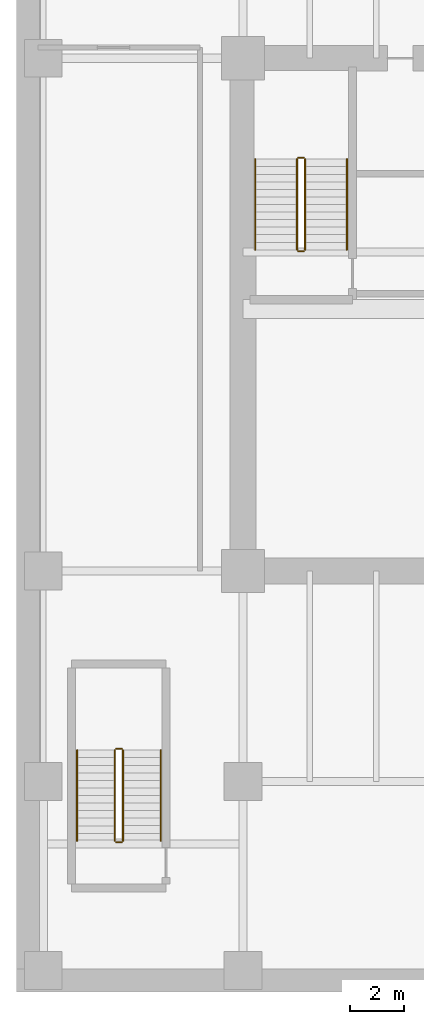
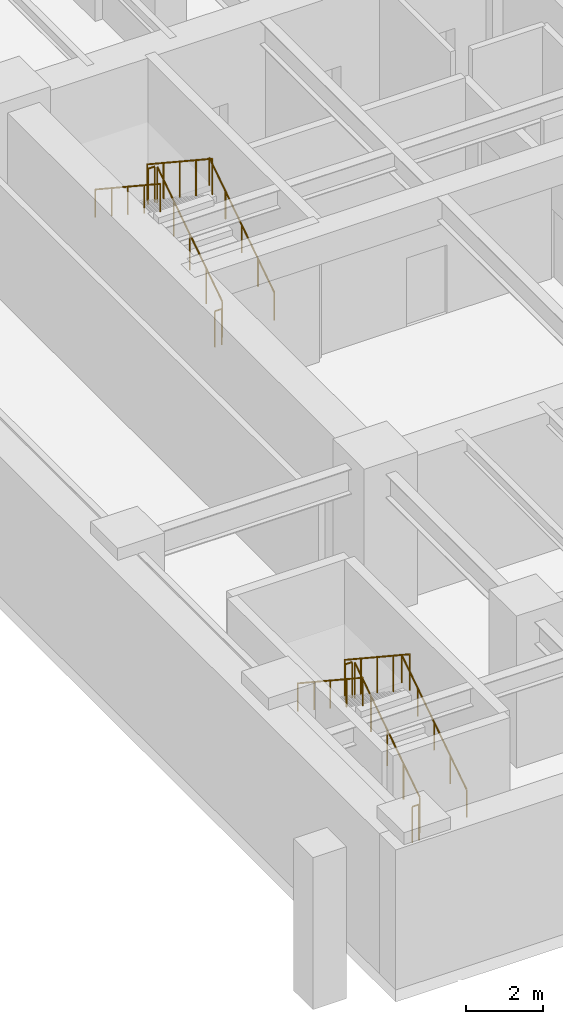
# One storey, part 5 of 6: 12 railings.
"""IFC4 building model written with IfcOpenShell, lengths in metres."""

from ifc_helpers import new_model, si_unit, direction, frame, origin, origin_2d, place, context, subcontext, project, spatial, circle, extrude, source, transform, mapped, material, type_object, type_shapes, element, save


model = new_model("IFC4")

# Units and contexts
model_context = context("Model", 3, precision=1e-05, world=origin(), true_north=direction((0.0, 1.0)))
body_context = subcontext(model_context, "Body", "Model", "MODEL_VIEW")
ifc_project = project(units=[si_unit("LENGTHUNIT", "METRE"), si_unit("AREAUNIT", "SQUARE_METRE"), si_unit("VOLUMEUNIT", "CUBIC_METRE"), si_unit("PLANEANGLEUNIT", "RADIAN"), si_unit("MASSUNIT", "GRAM", prefix="KILO")], contexts=[model_context])

# Site, building, storey
site_placement = place(None, origin())
site = spatial("IfcSite", under=ifc_project, at=site_placement, CompositionType="ELEMENT")
building_placement = place(site_placement, origin())
building = spatial("IfcBuilding", under=site, at=building_placement, Name="Haelvirn Gate Laboratories", CompositionType="ELEMENT")
storey_placement = place(building_placement, frame((0.0, 0.0, -9.60009765625)))
storey = spatial("IfcBuildingStorey", under=building, at=storey_placement, Name="B2", CompositionType="ELEMENT", Elevation=-9.60009765625)

# Railings
ifc_material_1 = material(Name="Galvanised steel SM355 & stainless top rail", Category="steel")
railing_type_1 = type_object("IfcRailingType", Name="RL-GUARD-1150", PredefinedType="GUARDRAIL", material=ifc_material_1)
shared_shape_1 = source(origin(), body_context, "Body", "SweptSolid", [
    extrude(circle(Radius=0.02392578125, at=origin_2d()), frame((0.0, 0.0, 1.1259765625), z_axis=(0.0, 0.834876476806, 0.550437342915), x_axis=(-1.0, 0.0, 0.0)), (0.0, 0.0, 1.0), 4.024658203125),
    extrude(circle(Radius=0.02099609375, at=origin_2d()), origin(), (0.0, 0.0, 1.0), 1.101806640625),
    extrude(circle(Radius=0.02099609375, at=origin_2d()), frame((0.0, 0.840087890625, 0.5537109375)), (0.0, 0.0, 1.0), 1.101806640625),
    extrude(circle(Radius=0.02099609375, at=origin_2d()), frame((0.0, 1.68017578125, 1.107666015625)), (0.0, 0.0, 1.0), 1.101806640625),
    extrude(circle(Radius=0.02099609375, at=origin_2d()), frame((0.0, 2.52001953125, 1.66162109375)), (0.0, 0.0, 1.0), 1.101806640625),
    extrude(circle(Radius=0.02099609375, at=origin_2d()), frame((0.0, 3.360107421875, 2.21533203125)), (0.0, 0.0, 1.0), 1.101806640625),
])
railing_1_placement = place(storey_placement, frame((9.699951171875, 26.699951171875, 0.184814453125)))
element("IfcRailing", 1, at=railing_1_placement, inside=storey, type_object=railing_type_1, Name="B2 ST1 stair guard 1", PredefinedType="GUARDRAIL", context=body_context, shape_type="MappedRepresentation", body=[
    mapped(shared_shape_1, transform((0.0, 0.0, 0.0), scale=1.0)),
])
shared_shape_2 = source(origin(), body_context, "Body", "SweptSolid", [
    extrude(circle(Radius=0.02392578125, at=origin_2d()), frame((0.0, 0.0, 1.1259765625), z_axis=(-1.0, 0.0, 0.0), x_axis=(0.0, -1.0, 0.0)), (0.0, 0.0, 1.0), 0.199951171875),
    extrude(circle(Radius=0.02099609375, at=origin_2d()), origin(), (0.0, 0.0, 1.0), 1.101806640625),
    extrude(circle(Radius=0.02099609375, at=origin_2d()), frame((-0.199951171875, 0.0, 0.0)), (0.0, 0.0, 1.0), 1.101806640625),
])
for number, where, name in (
    (2, (9.64990234375, 30.110107421875, 2.400146484375), "B2 ST1 stair guard 2"),
    (3, (9.64990234375, 26.64990234375, 0.0), "B2 ST1 stair guard 4"),
    (4, (2.89990234375, 8.2099609375, 2.400146484375), "B2 ST3 stair guard 2"),
    (5, (2.89990234375, 4.75, 0.0), "B2 ST3 stair guard 4"),
):
    element("IfcRailing", number, at=place(storey_placement, frame(where)), inside=storey, type_object=railing_type_1, Name=name, PredefinedType="GUARDRAIL", context=body_context, shape_type="MappedRepresentation", body=[
        mapped(shared_shape_2, transform((0.0, 0.0, 0.0), scale=1.0)),
    ])
shared_shape_3 = source(origin(), body_context, "Body", "SweptSolid", [
    extrude(circle(Radius=0.02392578125, at=origin_2d()), frame((0.0, 0.0, 1.1259765625), z_axis=(0.0, -0.834876476806, 0.550437342915), x_axis=(1.0, 0.0, 0.0)), (0.0, 0.0, 1.0), 4.024658203125),
    extrude(circle(Radius=0.02099609375, at=origin_2d()), origin(), (0.0, 0.0, 1.0), 1.101806640625),
    extrude(circle(Radius=0.02099609375, at=origin_2d()), frame((0.0, -0.840087890625, 0.5537109375)), (0.0, 0.0, 1.0), 1.101806640625),
    extrude(circle(Radius=0.02099609375, at=origin_2d()), frame((0.0, -1.68017578125, 1.107666015625)), (0.0, 0.0, 1.0), 1.101806640625),
    extrude(circle(Radius=0.02099609375, at=origin_2d()), frame((0.0, -2.52001953125, 1.66162109375)), (0.0, 0.0, 1.0), 1.101806640625),
    extrude(circle(Radius=0.02099609375, at=origin_2d()), frame((0.0, -3.360107421875, 2.21533203125)), (0.0, 0.0, 1.0), 1.101806640625),
])
railing_2_placement = place(storey_placement, frame((9.39990234375, 30.06005859375, 2.584716796875)))
element("IfcRailing", 6, at=railing_2_placement, inside=storey, type_object=railing_type_1, Name="B2 ST1 stair guard 3", PredefinedType="GUARDRAIL", context=body_context, shape_type="MappedRepresentation", body=[
    mapped(shared_shape_3, transform((0.0, 0.0, 0.0), scale=1.0)),
])
ifc_material_2 = material(Name="Brushed stainless steel 316L", Category="steel")
railing_type_2 = type_object("IfcRailingType", Name="RL-HAND-920", PredefinedType="HANDRAIL", material=ifc_material_2)
shared_shape_4 = source(origin(), body_context, "Body", "SweptSolid", [
    extrude(circle(Radius=0.02392578125, at=origin_2d()), frame((0.0, 0.0, 0.8759765625), z_axis=(0.0, 0.834876476806, 0.550437342915), x_axis=(-1.0, 0.0, 0.0)), (0.0, 0.0, 1.0), 4.024658203125),
    extrude(circle(Radius=0.02099609375, at=origin_2d()), origin(), (0.0, 0.0, 1.0), 0.851806640625),
    extrude(circle(Radius=0.02099609375, at=origin_2d()), frame((0.0, 0.840087890625, 0.5537109375)), (0.0, 0.0, 1.0), 0.851806640625),
    extrude(circle(Radius=0.02099609375, at=origin_2d()), frame((0.0, 1.68017578125, 1.107666015625)), (0.0, 0.0, 1.0), 0.851806640625),
    extrude(circle(Radius=0.02099609375, at=origin_2d()), frame((0.0, 2.52001953125, 1.66162109375)), (0.0, 0.0, 1.0), 0.851806640625),
    extrude(circle(Radius=0.02099609375, at=origin_2d()), frame((0.0, 3.360107421875, 2.21533203125)), (0.0, 0.0, 1.0), 0.851806640625),
])
railing_3_placement = place(storey_placement, frame((11.25, 26.699951171875, 0.184814453125)))
element("IfcRailing", 7, at=railing_3_placement, inside=storey, type_object=railing_type_2, Name="B2 ST1 stair handrail 1", PredefinedType="HANDRAIL", context=body_context, shape_type="MappedRepresentation", body=[
    mapped(shared_shape_4, transform((0.0, 0.0, 0.0), scale=1.0)),
])
shared_shape_5 = source(origin(), body_context, "Body", "SweptSolid", [
    extrude(circle(Radius=0.02392578125, at=origin_2d()), frame((0.0, 0.0, 0.8759765625), z_axis=(0.0, -0.834876476806, 0.550437342915), x_axis=(1.0, 0.0, 0.0)), (0.0, 0.0, 1.0), 4.024658203125),
    extrude(circle(Radius=0.02099609375, at=origin_2d()), origin(), (0.0, 0.0, 1.0), 0.851806640625),
    extrude(circle(Radius=0.02099609375, at=origin_2d()), frame((0.0, -0.840087890625, 0.5537109375)), (0.0, 0.0, 1.0), 0.851806640625),
    extrude(circle(Radius=0.02099609375, at=origin_2d()), frame((0.0, -1.68017578125, 1.107666015625)), (0.0, 0.0, 1.0), 0.851806640625),
    extrude(circle(Radius=0.02099609375, at=origin_2d()), frame((0.0, -2.52001953125, 1.66162109375)), (0.0, 0.0, 1.0), 0.851806640625),
    extrude(circle(Radius=0.02099609375, at=origin_2d()), frame((0.0, -3.360107421875, 2.21533203125)), (0.0, 0.0, 1.0), 0.851806640625),
])
railing_4_placement = place(storey_placement, frame((7.85009765625, 30.06005859375, 2.584716796875)))
element("IfcRailing", 8, at=railing_4_placement, inside=storey, type_object=railing_type_2, Name="B2 ST1 stair handrail 2", PredefinedType="HANDRAIL", context=body_context, shape_type="MappedRepresentation", body=[
    mapped(shared_shape_5, transform((0.0, 0.0, 0.0), scale=1.0)),
])
shared_shape_6 = source(origin(), body_context, "Body", "SweptSolid", [
    extrude(circle(Radius=0.02392578125, at=origin_2d()), frame((0.0, 0.0, 1.1259765625), z_axis=(0.0, 0.834858096282, 0.550465220583), x_axis=(-1.0, 0.0, 0.0)), (0.0, 0.0, 1.0), 4.0244140625),
    extrude(circle(Radius=0.02099609375, at=origin_2d()), origin(), (0.0, 0.0, 1.0), 1.101806640625),
    extrude(circle(Radius=0.02099609375, at=origin_2d()), frame((0.0, 0.83984375, 0.5537109375)), (0.0, 0.0, 1.0), 1.101806640625),
    extrude(circle(Radius=0.02099609375, at=origin_2d()), frame((0.0, 1.679931640625, 1.107666015625)), (0.0, 0.0, 1.0), 1.101806640625),
    extrude(circle(Radius=0.02099609375, at=origin_2d()), frame((0.0, 2.52001953125, 1.66162109375)), (0.0, 0.0, 1.0), 1.101806640625),
    extrude(circle(Radius=0.02099609375, at=origin_2d()), frame((0.0, 3.35986328125, 2.21533203125)), (0.0, 0.0, 1.0), 1.101806640625),
])
railing_5_placement = place(storey_placement, frame((2.949951171875, 4.800048828125, 0.184814453125)))
element("IfcRailing", 9, at=railing_5_placement, inside=storey, type_object=railing_type_1, Name="B2 ST3 stair guard 1", PredefinedType="GUARDRAIL", context=body_context, shape_type="MappedRepresentation", body=[
    mapped(shared_shape_6, transform((0.0, 0.0, 0.0), scale=1.0)),
])
shared_shape_7 = source(origin(), body_context, "Body", "SweptSolid", [
    extrude(circle(Radius=0.02392578125, at=origin_2d()), frame((0.0, 0.0, 1.1259765625), z_axis=(0.0, -0.834858096282, 0.550465220583), x_axis=(1.0, 0.0, 0.0)), (0.0, 0.0, 1.0), 4.0244140625),
    extrude(circle(Radius=0.02099609375, at=origin_2d()), origin(), (0.0, 0.0, 1.0), 1.101806640625),
    extrude(circle(Radius=0.02099609375, at=origin_2d()), frame((0.0, -0.83984375, 0.5537109375)), (0.0, 0.0, 1.0), 1.101806640625),
    extrude(circle(Radius=0.02099609375, at=origin_2d()), frame((0.0, -1.679931640625, 1.107666015625)), (0.0, 0.0, 1.0), 1.101806640625),
    extrude(circle(Radius=0.02099609375, at=origin_2d()), frame((0.0, -2.52001953125, 1.66162109375)), (0.0, 0.0, 1.0), 1.101806640625),
    extrude(circle(Radius=0.02099609375, at=origin_2d()), frame((0.0, -3.35986328125, 2.21533203125)), (0.0, 0.0, 1.0), 1.101806640625),
])
type_shapes(railing_type_1, [shared_shape_1, shared_shape_2, shared_shape_3, shared_shape_6, shared_shape_7])
railing_6_placement = place(storey_placement, frame((2.64990234375, 8.159912109375, 2.584716796875)))
element("IfcRailing", 10, at=railing_6_placement, inside=storey, type_object=railing_type_1, Name="B2 ST3 stair guard 3", PredefinedType="GUARDRAIL", context=body_context, shape_type="MappedRepresentation", body=[
    mapped(shared_shape_7, transform((0.0, 0.0, 0.0), scale=1.0)),
])
shared_shape_8 = source(origin(), body_context, "Body", "SweptSolid", [
    extrude(circle(Radius=0.02392578125, at=origin_2d()), frame((0.0, 0.0, 0.8759765625), z_axis=(0.0, 0.834858096282, 0.550465220583), x_axis=(-1.0, 0.0, 0.0)), (0.0, 0.0, 1.0), 4.0244140625),
    extrude(circle(Radius=0.02099609375, at=origin_2d()), origin(), (0.0, 0.0, 1.0), 0.851806640625),
    extrude(circle(Radius=0.02099609375, at=origin_2d()), frame((0.0, 0.83984375, 0.5537109375)), (0.0, 0.0, 1.0), 0.851806640625),
    extrude(circle(Radius=0.02099609375, at=origin_2d()), frame((0.0, 1.679931640625, 1.107666015625)), (0.0, 0.0, 1.0), 0.851806640625),
    extrude(circle(Radius=0.02099609375, at=origin_2d()), frame((0.0, 2.52001953125, 1.66162109375)), (0.0, 0.0, 1.0), 0.851806640625),
    extrude(circle(Radius=0.02099609375, at=origin_2d()), frame((0.0, 3.35986328125, 2.21533203125)), (0.0, 0.0, 1.0), 0.851806640625),
])
railing_7_placement = place(storey_placement, frame((4.35009765625, 4.800048828125, 0.184814453125)))
element("IfcRailing", 11, at=railing_7_placement, inside=storey, type_object=railing_type_2, Name="B2 ST3 stair handrail 1", PredefinedType="HANDRAIL", context=body_context, shape_type="MappedRepresentation", body=[
    mapped(shared_shape_8, transform((0.0, 0.0, 0.0), scale=1.0)),
])
shared_shape_9 = source(origin(), body_context, "Body", "SweptSolid", [
    extrude(circle(Radius=0.02392578125, at=origin_2d()), frame((0.0, 0.0, 0.8759765625), z_axis=(0.0, -0.834858096282, 0.550465220583), x_axis=(1.0, 0.0, 0.0)), (0.0, 0.0, 1.0), 4.0244140625),
    extrude(circle(Radius=0.02099609375, at=origin_2d()), origin(), (0.0, 0.0, 1.0), 0.851806640625),
    extrude(circle(Radius=0.02099609375, at=origin_2d()), frame((0.0, -0.83984375, 0.5537109375)), (0.0, 0.0, 1.0), 0.851806640625),
    extrude(circle(Radius=0.02099609375, at=origin_2d()), frame((0.0, -1.679931640625, 1.107666015625)), (0.0, 0.0, 1.0), 0.851806640625),
    extrude(circle(Radius=0.02099609375, at=origin_2d()), frame((0.0, -2.52001953125, 1.66162109375)), (0.0, 0.0, 1.0), 0.851806640625),
    extrude(circle(Radius=0.02099609375, at=origin_2d()), frame((0.0, -3.35986328125, 2.21533203125)), (0.0, 0.0, 1.0), 0.851806640625),
])
type_shapes(railing_type_2, [shared_shape_4, shared_shape_5, shared_shape_8, shared_shape_9])
railing_8_placement = place(storey_placement, frame((1.25, 8.159912109375, 2.584716796875)))
element("IfcRailing", 12, at=railing_8_placement, inside=storey, type_object=railing_type_2, Name="B2 ST3 stair handrail 2", PredefinedType="HANDRAIL", context=body_context, shape_type="MappedRepresentation", body=[
    mapped(shared_shape_9, transform((0.0, 0.0, 0.0), scale=1.0)),
])

save(model, "model.ifc")
